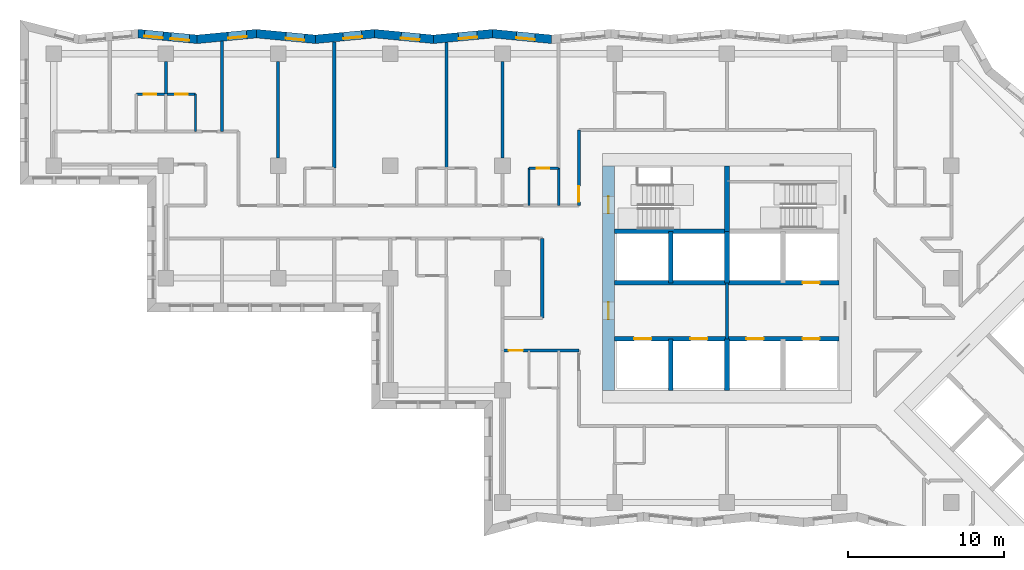
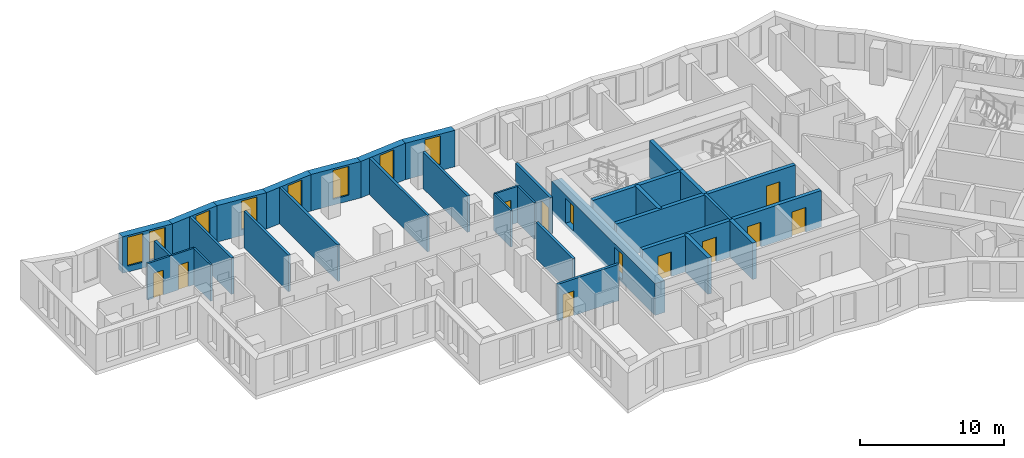
# One storey, part 5 of 12: 31 walls, 12 doors, 8 windows, 20 openings.
"""IFC4 building model written with IfcOpenShell, lengths in metres."""

from ifc_helpers import new_model, si_unit, direction, frame, frame_2d, origin, place, context, subcontext, project, spatial, polyline, rectangle, outline, extrude, material, layer, layer_set, type_object, element, fill, save


model = new_model("IFC4")

# Units and contexts
model_context = context("Model", 3, precision=1e-05, world=origin(), true_north=direction((0.0, 1.0)))
body_context = subcontext(model_context, "Body", "Model", "MODEL_VIEW")
ifc_project = project(units=[si_unit("LENGTHUNIT", "METRE"), si_unit("AREAUNIT", "SQUARE_METRE"), si_unit("VOLUMEUNIT", "CUBIC_METRE"), si_unit("PLANEANGLEUNIT", "RADIAN"), si_unit("MASSUNIT", "GRAM", prefix="KILO")], contexts=[model_context])

# Site, building, storey
site_placement = place(None, origin())
site = spatial("IfcSite", under=ifc_project, at=site_placement, CompositionType="ELEMENT")
building_placement = place(site_placement, origin())
building = spatial("IfcBuilding", under=site, at=building_placement, Name="Windrow Commons", CompositionType="ELEMENT")
storey_placement = place(building_placement, frame((0.0, 0.0, 88.0)))
storey = spatial("IfcBuildingStorey", under=building, at=storey_placement, Name="L23", CompositionType="ELEMENT", Elevation=88.0)

# Wall, opening, window
ifc_material_1 = material(Name="Brick masonry, red clay brick", Category="masonry")
ifc_layer_1 = layer(ifc_material_1, 0.55)
ifc_layer_set_1 = layer_set([ifc_layer_1], Name="Brick facade wall 550")
wall_type_1 = type_object("IfcWallType", Name="Brick facade wall 550", PredefinedType="SOLIDWALL", material=ifc_layer_set_1)
wall_1_placement = place(storey_placement, frame((53.5581, 72.9238, 0.0), z_axis=(0.0, 0.0, 1.0), x_axis=(-0.9954966527, 0.0947967005, 0.0)))
wall_1 = element("IfcWall", 1, at=wall_1_placement, inside=storey, type_object=wall_type_1, Name="Brick facade wall L23 28", PredefinedType="SOLIDWALL", context=body_context, shape_type="SweptSolid", body=[
    extrude(outline(polyline([(0.0262, -0.275), (3.8343, -0.275), (3.782, 0.275), (-0.0262, 0.275), (0.0262, -0.275)])), origin(), (0.0, 0.0, 1.0), 3.1),
])
opening_1_placement = place(wall_1_placement, frame((1.0862, 0.0, 0.5)))
opening_1 = element("IfcOpeningElement", 2, at=opening_1_placement, cuts=wall_1, Name="Opening W7D", PredefinedType="OPENING", context=body_context, shape_type="SweptSolid", body=[
    extrude(rectangle(XDim=1.2, YDim=2.45, at=frame_2d((0.6, 1.225))), frame((0.0, 0.285, 0.0), z_axis=(0.0, -1.0, 0.0), x_axis=(1.0, 0.0, 0.0)), (0.0, 0.0, 1.0), 0.57),
])
ifc_material_2 = material(Name="Clear float glass in anodised aluminium frame", Category="aluminium")
window_type = type_object("IfcWindowType", Name="Window W7 notch 1200x2450", PartitioningType="SINGLE_PANEL", PredefinedType="WINDOW", material=ifc_material_2)
window_1_placement = place(opening_1_placement, origin())
window_1 = element("IfcWindow", 3, at=window_1_placement, inside=storey, type_object=window_type, Name="Window L23 28.1", OverallHeight=2.45, OverallWidth=1.2, PartitioningType="SINGLE_PANEL", PredefinedType="WINDOW", context=body_context, shape_type="SweptSolid", body=[
    extrude(rectangle(XDim=1.2, YDim=2.45, at=frame_2d((0.6, 1.225))), frame((0.0, 0.155, 0.0), z_axis=(0.0, -1.0, 0.0), x_axis=(1.0, 0.0, 0.0)), (0.0, 0.0, 1.0), 0.06),
])
fill(opening_1, window_1)

wall_2_placement = place(storey_placement, frame((49.7671, 73.2848, 0.0), z_axis=(0.0, 0.0, 1.0), x_axis=(-0.9954966527, -0.0947967005, 0.0)))
wall_2 = element("IfcWall", 4, at=wall_2_placement, inside=storey, type_object=wall_type_1, Name="Brick facade wall L23 29", PredefinedType="SOLIDWALL", context=body_context, shape_type="SweptSolid", body=[
    extrude(outline(polyline([(-0.0262, -0.275), (3.782, -0.275), (3.8343, 0.275), (0.0262, 0.275), (-0.0262, -0.275)])), origin(), (0.0, 0.0, 1.0), 3.1),
])
opening_2_placement = place(wall_2_placement, frame((1.0033, 0.0, 0.5)))
opening_2 = element("IfcOpeningElement", 5, at=opening_2_placement, cuts=wall_2, Name="Opening W7D", PredefinedType="OPENING", context=body_context, shape_type="SweptSolid", body=[
    extrude(rectangle(XDim=1.2, YDim=2.45, at=frame_2d((0.6, 1.225))), frame((0.0, 0.285, 0.0), z_axis=(0.0, -1.0, 0.0), x_axis=(1.0, 0.0, 0.0)), (0.0, 0.0, 1.0), 0.57),
])
window_2_placement = place(opening_2_placement, origin())
window_2 = element("IfcWindow", 6, at=window_2_placement, inside=storey, type_object=window_type, Name="Window L23 29.1", OverallHeight=2.45, OverallWidth=1.2, PartitioningType="SINGLE_PANEL", PredefinedType="WINDOW", context=body_context, shape_type="SweptSolid", body=[
    extrude(rectangle(XDim=1.2, YDim=2.45, at=frame_2d((0.6, 1.225))), frame((0.0, 0.155, 0.0), z_axis=(0.0, -1.0, 0.0), x_axis=(1.0, 0.0, 0.0)), (0.0, 0.0, 1.0), 0.06),
])
fill(opening_2, window_2)

wall_3_placement = place(storey_placement, frame((45.9761, 72.9238, 0.0), z_axis=(0.0, 0.0, 1.0), x_axis=(-0.9954966527, 0.0947967005, 0.0)))
wall_3 = element("IfcWall", 7, at=wall_3_placement, inside=storey, type_object=wall_type_1, Name="Brick facade wall L23 30", PredefinedType="SOLIDWALL", context=body_context, shape_type="SweptSolid", body=[
    extrude(outline(polyline([(0.0262, -0.275), (3.8343, -0.275), (3.782, 0.275), (-0.0262, 0.275), (0.0262, -0.275)])), origin(), (0.0, 0.0, 1.0), 3.1),
])
opening_3_placement = place(wall_3_placement, frame((0.8943, 0.0, 0.5)))
opening_3 = element("IfcOpeningElement", 8, at=opening_3_placement, cuts=wall_3, Name="Opening W7D", PredefinedType="OPENING", context=body_context, shape_type="SweptSolid", body=[
    extrude(rectangle(XDim=1.2, YDim=2.45, at=frame_2d((0.6, 1.225))), frame((0.0, 0.285, 0.0), z_axis=(0.0, -1.0, 0.0), x_axis=(1.0, 0.0, 0.0)), (0.0, 0.0, 1.0), 0.57),
])
window_3_placement = place(opening_3_placement, origin())
window_3 = element("IfcWindow", 9, at=window_3_placement, inside=storey, type_object=window_type, Name="Window L23 30.1", OverallHeight=2.45, OverallWidth=1.2, PartitioningType="SINGLE_PANEL", PredefinedType="WINDOW", context=body_context, shape_type="SweptSolid", body=[
    extrude(rectangle(XDim=1.2, YDim=2.45, at=frame_2d((0.6, 1.225))), frame((0.0, 0.155, 0.0), z_axis=(0.0, -1.0, 0.0), x_axis=(1.0, 0.0, 0.0)), (0.0, 0.0, 1.0), 0.06),
])
fill(opening_3, window_3)

wall_4_placement = place(storey_placement, frame((42.1851, 73.2848, 0.0), z_axis=(0.0, 0.0, 1.0), x_axis=(-0.9954966527, -0.0947967005, 0.0)))
wall_4 = element("IfcWall", 10, at=wall_4_placement, inside=storey, type_object=wall_type_1, Name="Brick facade wall L23 31", PredefinedType="SOLIDWALL", context=body_context, shape_type="SweptSolid", body=[
    extrude(outline(polyline([(-0.0262, -0.275), (3.782, -0.275), (3.8343, 0.275), (0.0262, 0.275), (-0.0262, -0.275)])), origin(), (0.0, 0.0, 1.0), 3.1),
])
opening_4_placement = place(wall_4_placement, frame((0.8115, 0.0, 0.5)))
opening_4 = element("IfcOpeningElement", 11, at=opening_4_placement, cuts=wall_4, Name="Opening W7D", PredefinedType="OPENING", context=body_context, shape_type="SweptSolid", body=[
    extrude(rectangle(XDim=1.2, YDim=2.45, at=frame_2d((0.6, 1.225))), frame((0.0, 0.285, 0.0), z_axis=(0.0, -1.0, 0.0), x_axis=(1.0, 0.0, 0.0)), (0.0, 0.0, 1.0), 0.57),
])
window_4_placement = place(opening_4_placement, origin())
window_4 = element("IfcWindow", 12, at=window_4_placement, inside=storey, type_object=window_type, Name="Window L23 31.1", OverallHeight=2.45, OverallWidth=1.2, PartitioningType="SINGLE_PANEL", PredefinedType="WINDOW", context=body_context, shape_type="SweptSolid", body=[
    extrude(rectangle(XDim=1.2, YDim=2.45, at=frame_2d((0.6, 1.225))), frame((0.0, 0.155, 0.0), z_axis=(0.0, -1.0, 0.0), x_axis=(1.0, 0.0, 0.0)), (0.0, 0.0, 1.0), 0.06),
])
fill(opening_4, window_4)

wall_5_placement = place(storey_placement, frame((38.3941, 72.9238, 0.0), z_axis=(0.0, 0.0, 1.0), x_axis=(-0.9954968887, 0.0947942225, 0.0)))
wall_5 = element("IfcWall", 13, at=wall_5_placement, inside=storey, type_object=wall_type_1, Name="Brick facade wall L23 32", PredefinedType="SOLIDWALL", context=body_context, shape_type="SweptSolid", body=[
    extrude(outline(polyline([(0.0262, -0.275), (3.8343, -0.275), (3.782, 0.275), (-0.0262, 0.275), (0.0262, -0.275)])), origin(), (0.0, 0.0, 1.0), 3.1),
])
opening_5_placement = place(wall_5_placement, frame((0.7024, 0.0, 0.5)))
opening_5 = element("IfcOpeningElement", 14, at=opening_5_placement, cuts=wall_5, Name="Opening W7D", PredefinedType="OPENING", context=body_context, shape_type="SweptSolid", body=[
    extrude(rectangle(XDim=1.2, YDim=2.45, at=frame_2d((0.6, 1.225))), frame((0.0, 0.285, 0.0), z_axis=(0.0, -1.0, 0.0), x_axis=(1.0, 0.0, 0.0)), (0.0, 0.0, 1.0), 0.57),
])
window_5_placement = place(opening_5_placement, origin())
window_5 = element("IfcWindow", 15, at=window_5_placement, inside=storey, type_object=window_type, Name="Window L23 32.1", OverallHeight=2.45, OverallWidth=1.2, PartitioningType="SINGLE_PANEL", PredefinedType="WINDOW", context=body_context, shape_type="SweptSolid", body=[
    extrude(rectangle(XDim=1.2, YDim=2.45, at=frame_2d((0.6, 1.225))), frame((0.0, 0.155, 0.0), z_axis=(0.0, -1.0, 0.0), x_axis=(1.0, 0.0, 0.0)), (0.0, 0.0, 1.0), 0.06),
])
fill(opening_5, window_5)

wall_6_placement = place(storey_placement, frame((34.603, 73.2848, 0.0), z_axis=(0.0, 0.0, 1.0), x_axis=(-0.9954966527, -0.0947967005, 0.0)))
wall_6 = element("IfcWall", 16, at=wall_6_placement, inside=storey, type_object=wall_type_1, Name="Brick facade wall L23 33", PredefinedType="SOLIDWALL", context=body_context, shape_type="SweptSolid", body=[
    extrude(outline(polyline([(-0.0262, -0.275), (3.782, -0.275), (3.8343, 0.275), (0.0262, 0.275), (-0.0262, -0.275)])), origin(), (0.0, 0.0, 1.0), 3.1),
])
opening_6_placement = place(wall_6_placement, frame((0.6196, 0.0, 0.5)))
opening_6 = element("IfcOpeningElement", 17, at=opening_6_placement, cuts=wall_6, Name="Opening W7D", PredefinedType="OPENING", context=body_context, shape_type="SweptSolid", body=[
    extrude(rectangle(XDim=1.2, YDim=2.45, at=frame_2d((0.6, 1.225))), frame((0.0, 0.285, 0.0), z_axis=(0.0, -1.0, 0.0), x_axis=(1.0, 0.0, 0.0)), (0.0, 0.0, 1.0), 0.57),
])
window_6_placement = place(opening_6_placement, origin())
window_6 = element("IfcWindow", 18, at=window_6_placement, inside=storey, type_object=window_type, Name="Window L23 33.1", OverallHeight=2.45, OverallWidth=1.2, PartitioningType="SINGLE_PANEL", PredefinedType="WINDOW", context=body_context, shape_type="SweptSolid", body=[
    extrude(rectangle(XDim=1.2, YDim=2.45, at=frame_2d((0.6, 1.225))), frame((0.0, 0.155, 0.0), z_axis=(0.0, -1.0, 0.0), x_axis=(1.0, 0.0, 0.0)), (0.0, 0.0, 1.0), 0.06),
])
fill(opening_6, window_6)

# Wall, openings, windows
wall_7_placement = place(storey_placement, frame((30.812, 72.9238, 0.0), z_axis=(0.0, 0.0, 1.0), x_axis=(-0.9954966527, 0.0947967005, 0.0)))
wall_7 = element("IfcWall", 19, at=wall_7_placement, inside=storey, type_object=wall_type_1, Name="Brick facade wall L23 34", PredefinedType="SOLIDWALL", context=body_context, shape_type="SweptSolid", body=[
    extrude(outline(polyline([(0.0262, -0.275), (3.8343, -0.275), (3.782, 0.275), (-0.0262, 0.275), (0.0262, -0.275)])), origin(), (0.0, 0.0, 1.0), 3.1),
])
opening_7_placement = place(wall_7_placement, frame((0.5106, 0.0, 0.5)))
opening_7 = element("IfcOpeningElement", 20, at=opening_7_placement, cuts=wall_7, Name="Opening W7D", PredefinedType="OPENING", context=body_context, shape_type="SweptSolid", body=[
    extrude(rectangle(XDim=1.2, YDim=2.45, at=frame_2d((0.6, 1.225))), frame((0.0, 0.285, 0.0), z_axis=(0.0, -1.0, 0.0), x_axis=(1.0, 0.0, 0.0)), (0.0, 0.0, 1.0), 0.57),
])
opening_8_placement = place(wall_7_placement, frame((2.2016, 0.0, 0.5)))
opening_8 = element("IfcOpeningElement", 21, at=opening_8_placement, cuts=wall_7, Name="Opening W7D", PredefinedType="OPENING", context=body_context, shape_type="SweptSolid", body=[
    extrude(rectangle(XDim=1.2, YDim=2.45, at=frame_2d((0.6, 1.225))), frame((0.0, 0.285, 0.0), z_axis=(0.0, -1.0, 0.0), x_axis=(1.0, 0.0, 0.0)), (0.0, 0.0, 1.0), 0.57),
])
window_7_placement = place(opening_7_placement, origin())
window_7 = element("IfcWindow", 22, at=window_7_placement, inside=storey, type_object=window_type, Name="Window L23 34.1", OverallHeight=2.45, OverallWidth=1.2, PartitioningType="SINGLE_PANEL", PredefinedType="WINDOW", context=body_context, shape_type="SweptSolid", body=[
    extrude(rectangle(XDim=1.2, YDim=2.45, at=frame_2d((0.6, 1.225))), frame((0.0, 0.155, 0.0), z_axis=(0.0, -1.0, 0.0), x_axis=(1.0, 0.0, 0.0)), (0.0, 0.0, 1.0), 0.06),
])
fill(opening_7, window_7)
window_8_placement = place(opening_8_placement, origin())
window_8 = element("IfcWindow", 23, at=window_8_placement, inside=storey, type_object=window_type, Name="Window L23 34.2", OverallHeight=2.45, OverallWidth=1.2, PartitioningType="SINGLE_PANEL", PredefinedType="WINDOW", context=body_context, shape_type="SweptSolid", body=[
    extrude(rectangle(XDim=1.2, YDim=2.45, at=frame_2d((0.6, 1.225))), frame((0.0, 0.155, 0.0), z_axis=(0.0, -1.0, 0.0), x_axis=(1.0, 0.0, 0.0)), (0.0, 0.0, 1.0), 0.06),
])
fill(opening_8, window_8)

# Walls
ifc_material_3 = material(Name="Blockwork partition", Category="masonry")
ifc_layer_2 = layer(ifc_material_3, 0.2)
ifc_layer_set_2 = layer_set([ifc_layer_2], Name="Fire lobby partition 200")
wall_type_2 = type_object("IfcWallType", Name="Fire lobby partition 200", PredefinedType="PARTITIONING", material=ifc_layer_set_2)
wall_8_placement = place(storey_placement, frame((64.8, 53.7, 0.0), z_axis=(0.0, 0.0, 1.0), x_axis=(0.0, 1.0, 0.0)))
element("IfcWall", 24, at=wall_8_placement, inside=storey, type_object=wall_type_2, Name="W-core-lobby-A-L23", PredefinedType="PARTITIONING", context=body_context, shape_type="SweptSolid", body=[
    extrude(rectangle(XDim=3.6, YDim=0.2, at=frame_2d((1.8, 0.0))), origin(), (0.0, 0.0, 1.0), 3.1),
])
ifc_material_4 = material(Name="Blockwork partition", Category="masonry")
ifc_layer_3 = layer(ifc_material_4, 0.2)
ifc_layer_set_3 = layer_set([ifc_layer_3], Name="IW-CORRIDOR-200")
wall_type_3 = type_object("IfcWallType", Name="IW-CORRIDOR-200", PredefinedType="PARTITIONING", material=ifc_layer_set_3)
wall_9_placement = place(storey_placement, frame((52.95, 55.05, 0.0), z_axis=(0.0, 0.0, 1.0), x_axis=(0.0, 1.0, 0.0)))
element("IfcWall", 25, at=wall_9_placement, inside=storey, type_object=wall_type_3, Name="W-L23-W036", PredefinedType="PARTITIONING", context=body_context, shape_type="SweptSolid", body=[
    extrude(rectangle(XDim=5.1, YDim=0.2, at=frame_2d((2.55, 0.0))), origin(), (0.0, 0.0, 1.0), 3.1),
])

# Wall, opening, door
wall_10_placement = place(storey_placement, frame((50.4, 52.95, 0.0), z_axis=(0.0, 0.0, 1.0), x_axis=(1.0, 0.0, 0.0)))
wall_10 = element("IfcWall", 26, at=wall_10_placement, inside=storey, type_object=wall_type_3, Name="W-L23-W039", PredefinedType="PARTITIONING", context=body_context, shape_type="SweptSolid", body=[
    extrude(rectangle(XDim=4.9, YDim=0.2, at=frame_2d((2.45, 0.0))), origin(), (0.0, 0.0, 1.0), 3.1),
])
opening_9_placement = place(wall_10_placement, frame((0.4, 0.0, 0.0)))
opening_9 = element("IfcOpeningElement", 27, at=opening_9_placement, cuts=wall_10, Name="Opening D109S", PredefinedType="OPENING", context=body_context, shape_type="SweptSolid", body=[
    extrude(rectangle(XDim=0.9, YDim=2.1, at=frame_2d((0.45, 1.05))), frame((0.0, 0.11, 0.0), z_axis=(0.0, -1.0, 0.0), x_axis=(1.0, 0.0, 0.0)), (0.0, 0.0, 1.0), 0.22),
])
ifc_material_5 = material(Name="Timber door leaf", Category="wood")
door_type_1 = type_object("IfcDoorType", Name="DT-BEDROOM-900", OperationType="SINGLE_SWING_LEFT", PredefinedType="DOOR", material=ifc_material_5)
door_1_placement = place(opening_9_placement, origin())
door_1 = element("IfcDoor", 28, at=door_1_placement, inside=storey, type_object=door_type_1, Name="D-L23-D031", OperationType="SINGLE_SWING_LEFT", OverallHeight=2.1, OverallWidth=0.9, PredefinedType="DOOR", context=body_context, shape_type="SweptSolid", body=[
    extrude(rectangle(XDim=0.9, YDim=2.1, at=frame_2d((0.45, 1.05))), frame((0.0, 0.025, 0.0), z_axis=(0.0, -1.0, 0.0), x_axis=(1.0, 0.0, 0.0)), (0.0, 0.0, 1.0), 0.05),
])
fill(opening_9, door_1)

wall_11_placement = place(storey_placement, frame((55.3, 62.252, 0.0), z_axis=(0.0, 0.0, 1.0), x_axis=(0.0, 1.0, 0.0)))
wall_11 = element("IfcWall", 29, at=wall_11_placement, inside=storey, type_object=wall_type_3, Name="W-L23-W041", PredefinedType="PARTITIONING", context=body_context, shape_type="SweptSolid", body=[
    extrude(rectangle(XDim=4.848, YDim=0.2, at=frame_2d((2.424, 0.0))), origin(), (0.0, 0.0, 1.0), 3.1),
])
opening_10_placement = place(wall_11_placement, frame((0.2429, 0.0, 0.0)))
opening_10 = element("IfcOpeningElement", 30, at=opening_10_placement, cuts=wall_11, Name="Opening D310F", PredefinedType="OPENING", context=body_context, shape_type="SweptSolid", body=[
    extrude(rectangle(XDim=1.0, YDim=2.1, at=frame_2d((0.5, 1.05))), frame((0.0, 0.11, 0.0), z_axis=(0.0, -1.0, 0.0), x_axis=(1.0, 0.0, 0.0)), (0.0, 0.0, 1.0), 0.22),
])
ifc_material_6 = material(Name="Timber door leaf", Category="wood")
door_type_2 = type_object("IfcDoorType", Name="DT-AMENITY-1000", OperationType="SINGLE_SWING_LEFT", PredefinedType="DOOR", material=ifc_material_6)
door_2_placement = place(opening_10_placement, origin())
door_2 = element("IfcDoor", 31, at=door_2_placement, inside=storey, type_object=door_type_2, Name="D-L23-D021", OperationType="SINGLE_SWING_LEFT", OverallHeight=2.1, OverallWidth=1.0, PredefinedType="DOOR", context=body_context, shape_type="SweptSolid", body=[
    extrude(rectangle(XDim=1.0, YDim=2.1, at=frame_2d((0.5, 1.05))), frame((0.0, 0.025, 0.0), z_axis=(0.0, -1.0, 0.0), x_axis=(1.0, 0.0, 0.0)), (0.0, 0.0, 1.0), 0.05),
])
fill(opening_10, door_2)

# Wall, openings, doors
ifc_material_7 = material(Name="Blockwork partition", Category="masonry")
ifc_layer_4 = layer(ifc_material_7, 0.15)
ifc_layer_set_4 = layer_set([ifc_layer_4], Name="IW-ENSUITE-150")
wall_type_4 = type_object("IfcWallType", Name="IW-ENSUITE-150", PredefinedType="PARTITIONING", material=ifc_layer_set_4)
wall_12_placement = place(storey_placement, frame((26.9, 69.4, 0.0), z_axis=(0.0, 0.0, 1.0), x_axis=(1.0, 0.0, 0.0)))
wall_12 = element("IfcWall", 32, at=wall_12_placement, inside=storey, type_object=wall_type_4, Name="W-L23-W056", PredefinedType="PARTITIONING", context=body_context, shape_type="SweptSolid", body=[
    extrude(rectangle(XDim=3.8, YDim=0.15, at=frame_2d((1.9, 0.0))), origin(), (0.0, 0.0, 1.0), 3.1),
])
opening_11_placement = place(wall_12_placement, frame((0.4931, 0.0, 0.0)))
opening_11 = element("IfcOpeningElement", 33, at=opening_11_placement, cuts=wall_12, Name="Opening D208N", PredefinedType="OPENING", context=body_context, shape_type="SweptSolid", body=[
    extrude(rectangle(XDim=0.8, YDim=2.1, at=frame_2d((0.4, 1.05))), frame((0.0, 0.085, 0.0), z_axis=(0.0, -1.0, 0.0), x_axis=(1.0, 0.0, 0.0)), (0.0, 0.0, 1.0), 0.17),
])
opening_12_placement = place(wall_12_placement, frame((2.5069, 0.0, 0.0)))
opening_12 = element("IfcOpeningElement", 34, at=opening_12_placement, cuts=wall_12, Name="Opening D208N", PredefinedType="OPENING", context=body_context, shape_type="SweptSolid", body=[
    extrude(rectangle(XDim=0.8, YDim=2.1, at=frame_2d((0.4, 1.05))), frame((0.0, 0.085, 0.0), z_axis=(0.0, -1.0, 0.0), x_axis=(1.0, 0.0, 0.0)), (0.0, 0.0, 1.0), 0.17),
])
ifc_material_8 = material(Name="Timber door leaf", Category="wood")
door_type_3 = type_object("IfcDoorType", Name="DT-ENSUITE-800", OperationType="SINGLE_SWING_LEFT", PredefinedType="DOOR", material=ifc_material_8)
door_3_placement = place(opening_11_placement, origin())
door_3 = element("IfcDoor", 35, at=door_3_placement, inside=storey, type_object=door_type_3, Name="D-L23-D003", OperationType="SINGLE_SWING_RIGHT", OverallHeight=2.1, OverallWidth=0.8, PredefinedType="DOOR", context=body_context, shape_type="SweptSolid", body=[
    extrude(rectangle(XDim=0.8, YDim=2.1, at=frame_2d((0.4, 1.05))), frame((0.0, 0.025, 0.0), z_axis=(0.0, -1.0, 0.0), x_axis=(1.0, 0.0, 0.0)), (0.0, 0.0, 1.0), 0.05),
])
fill(opening_11, door_3)
door_4_placement = place(opening_12_placement, origin())
door_4 = element("IfcDoor", 36, at=door_4_placement, inside=storey, type_object=door_type_3, Name="D-L23-D005", OperationType="SINGLE_SWING_RIGHT", OverallHeight=2.1, OverallWidth=0.8, PredefinedType="DOOR", context=body_context, shape_type="SweptSolid", body=[
    extrude(rectangle(XDim=0.8, YDim=2.1, at=frame_2d((0.4, 1.05))), frame((0.0, 0.025, 0.0), z_axis=(0.0, -1.0, 0.0), x_axis=(1.0, 0.0, 0.0)), (0.0, 0.0, 1.0), 0.05),
])
fill(opening_12, door_4)

# Walls
for number, where, z_axis, x_axis, name in (
    (37, (30.7, 67.0, 0.0), (0.0, 0.0, 1.0), (0.0, 1.0, 0.0), "W-L23-W073"),
    (38, (52.1, 62.25, 0.0), (0.0, 0.0, 1.0), (0.0, 1.0, 0.0), "W-L23-W080"),
    (39, (54.0, 62.25, 0.0), (0.0, 0.0, 1.0), (0.0, 1.0, 0.0), "W-L23-W082"),
):
    element("IfcWall", number, at=place(storey_placement, frame(where, z_axis=z_axis, x_axis=x_axis)), inside=storey, type_object=wall_type_4, Name=name, PredefinedType="PARTITIONING", context=body_context, shape_type="SweptSolid", body=[
        extrude(rectangle(XDim=2.4, YDim=0.15, at=frame_2d((1.2, 0.0))), origin(), (0.0, 0.0, 1.0), 3.1),
    ])

# Wall, opening, door
wall_13_placement = place(storey_placement, frame((52.1, 64.65, 0.0), z_axis=(0.0, 0.0, 1.0), x_axis=(1.0, 0.0, 0.0)))
wall_13 = element("IfcWall", 40, at=wall_13_placement, inside=storey, type_object=wall_type_4, Name="W-L23-W127", PredefinedType="PARTITIONING", context=body_context, shape_type="SweptSolid", body=[
    extrude(rectangle(XDim=1.9, YDim=0.15, at=frame_2d((0.95, 0.0))), origin(), (0.0, 0.0, 1.0), 3.1),
])
opening_13_placement = place(wall_13_placement, frame((0.4931, 0.0, 0.0)))
opening_13 = element("IfcOpeningElement", 41, at=opening_13_placement, cuts=wall_13, Name="Opening D208N", PredefinedType="OPENING", context=body_context, shape_type="SweptSolid", body=[
    extrude(rectangle(XDim=0.8, YDim=2.1, at=frame_2d((0.4, 1.05))), frame((0.0, 0.085, 0.0), z_axis=(0.0, -1.0, 0.0), x_axis=(1.0, 0.0, 0.0)), (0.0, 0.0, 1.0), 0.17),
])
door_5_placement = place(opening_13_placement, origin())
door_5 = element("IfcDoor", 42, at=door_5_placement, inside=storey, type_object=door_type_3, Name="D-L23-D020", OperationType="SINGLE_SWING_RIGHT", OverallHeight=2.1, OverallWidth=0.8, PredefinedType="DOOR", context=body_context, shape_type="SweptSolid", body=[
    extrude(rectangle(XDim=0.8, YDim=2.1, at=frame_2d((0.4, 1.05))), frame((0.0, 0.025, 0.0), z_axis=(0.0, -1.0, 0.0), x_axis=(1.0, 0.0, 0.0)), (0.0, 0.0, 1.0), 0.05),
])
fill(opening_13, door_5)

# Walls
ifc_material_9 = material(Name="Blockwork partition", Category="masonry")
ifc_layer_5 = layer(ifc_material_9, 0.2)
ifc_layer_set_5 = layer_set([ifc_layer_5], Name="IW-PARTY-200")
wall_type_5 = type_object("IfcWallType", Name="IW-PARTY-200", PredefinedType="PARTITIONING", material=ifc_layer_set_5)
wall_14_placement = place(storey_placement, frame((39.6, 64.65, 0.0), z_axis=(0.0, 0.0, 1.0), x_axis=(0.0, 1.0, 0.0)))
element("IfcWall", 43, at=wall_14_placement, inside=storey, type_object=wall_type_5, Name="W-L23-W014", PredefinedType="PARTITIONING", context=body_context, shape_type="SweptSolid", body=[
    extrude(rectangle(XDim=8.1123, YDim=0.2, at=frame_2d((4.0561, 0.0))), origin(), (0.0, 0.0, 1.0), 3.1),
])
wall_15_placement = place(storey_placement, frame((46.8, 64.65, 0.0), z_axis=(0.0, 0.0, 1.0), x_axis=(0.0, 1.0, 0.0)))
element("IfcWall", 44, at=wall_15_placement, inside=storey, type_object=wall_type_5, Name="W-L23-W015", PredefinedType="PARTITIONING", context=body_context, shape_type="SweptSolid", body=[
    extrude(rectangle(XDim=8.076, YDim=0.2, at=frame_2d((4.038, 0.0))), origin(), (0.0, 0.0, 1.0), 3.1),
])
for number, where, z_axis, x_axis, name in (
    (45, (36.0, 65.3, 0.0), (0.0, 0.0, 1.0), (0.0, 1.0, 0.0), "W-L23-W023"),
    (46, (50.4, 65.3, 0.0), (0.0, 0.0, 1.0), (0.0, 1.0, 0.0), "W-L23-W025"),
):
    element("IfcWall", number, at=place(storey_placement, frame(where, z_axis=z_axis, x_axis=x_axis)), inside=storey, type_object=wall_type_5, Name=name, PredefinedType="PARTITIONING", context=body_context, shape_type="SweptSolid", body=[
        extrude(rectangle(XDim=6.2, YDim=0.2, at=frame_2d((3.1, 0.0))), origin(), (0.0, 0.0, 1.0), 3.1),
    ])
wall_16_placement = place(storey_placement, frame((32.4, 67.0, 0.0), z_axis=(0.0, 0.0, 1.0), x_axis=(0.0, 1.0, 0.0)))
element("IfcWall", 47, at=wall_16_placement, inside=storey, type_object=wall_type_5, Name="W-L23-W034", PredefinedType="PARTITIONING", context=body_context, shape_type="SweptSolid", body=[
    extrude(rectangle(XDim=5.7987, YDim=0.2, at=frame_2d((2.8994, 0.0))), origin(), (0.0, 0.0, 1.0), 3.1),
])
wall_17_placement = place(storey_placement, frame((28.8, 69.4, 0.0), z_axis=(0.0, 0.0, 1.0), x_axis=(0.0, 1.0, 0.0)))
element("IfcWall", 48, at=wall_17_placement, inside=storey, type_object=wall_type_5, Name="W-L23-W104", PredefinedType="PARTITIONING", context=body_context, shape_type="SweptSolid", body=[
    extrude(rectangle(XDim=2.1, YDim=0.2, at=frame_2d((1.05, 0.0))), origin(), (0.0, 0.0, 1.0), 3.1),
])

# Wall, openings, doors
ifc_material_10 = material(Name="Concrete C50/60", Category="concrete")
ifc_layer_6 = layer(ifc_material_10, 0.8)
ifc_layer_set_6 = layer_set([ifc_layer_6], Name="RC CORE WALL 800 C50/60")
wall_type_6 = type_object("IfcWallType", Name="RC CORE WALL 800 C50/60", PredefinedType="SHEAR", material=ifc_layer_set_6)
wall_18_placement = place(storey_placement, frame((57.2, 50.4, -0.3), z_axis=(0.0, 0.0, 1.0), x_axis=(0.0, 1.0, 0.0)))
wall_18 = element("IfcWall", 49, at=wall_18_placement, inside=storey, type_object=wall_type_6, Name="Core A wall outer-W", PredefinedType="SHEAR", context=body_context, shape_type="SweptSolid", body=[
    extrude(rectangle(XDim=14.4, YDim=0.8, at=frame_2d((7.2, 0.0))), origin(), (0.0, 0.0, 1.0), 2.7),
])
opening_14_placement = place(wall_18_placement, frame((4.55, 0.0, 0.3)))
opening_14 = element("IfcOpeningElement", 50, at=opening_14_placement, cuts=wall_18, Name="Opening D6", PredefinedType="OPENING", context=body_context, shape_type="SweptSolid", body=[
    extrude(rectangle(XDim=1.1, YDim=2.1, at=frame_2d((0.55, 1.05))), frame((0.0, 0.41, 0.0), z_axis=(0.0, -1.0, 0.0), x_axis=(1.0, 0.0, 0.0)), (0.0, 0.0, 1.0), 0.82),
])
opening_15_placement = place(wall_18_placement, frame((11.35, 0.0, 0.3)))
opening_15 = element("IfcOpeningElement", 51, at=opening_15_placement, cuts=wall_18, Name="Opening D7", PredefinedType="OPENING", context=body_context, shape_type="SweptSolid", body=[
    extrude(rectangle(XDim=1.1, YDim=2.1, at=frame_2d((0.55, 1.05))), frame((0.0, 0.41, 0.0), z_axis=(0.0, -1.0, 0.0), x_axis=(1.0, 0.0, 0.0)), (0.0, 0.0, 1.0), 0.82),
])
ifc_material_11 = material(Name="Steel fire door leaf", Category="steel")
door_type_4 = type_object("IfcDoorType", Name="Core lobby door 1100", OperationType="SINGLE_SWING_LEFT", PredefinedType="DOOR", material=ifc_material_11)
door_6_placement = place(opening_14_placement, origin())
door_6 = element("IfcDoor", 52, at=door_6_placement, inside=storey, type_object=door_type_4, Name="Lift lobby door", OperationType="DOUBLE_DOOR_SINGLE_SWING", OverallHeight=2.1, OverallWidth=1.1, PredefinedType="DOOR", context=body_context, shape_type="SweptSolid", body=[
    extrude(rectangle(XDim=1.1, YDim=2.1, at=frame_2d((0.55, 1.05))), frame((0.0, 0.025, 0.0), z_axis=(0.0, -1.0, 0.0), x_axis=(1.0, 0.0, 0.0)), (0.0, 0.0, 1.0), 0.05),
])
fill(opening_14, door_6)
ifc_material_12 = material(Name="Steel fire door leaf", Category="steel")
door_type_5 = type_object("IfcDoorType", Name="Stair door 1100", OperationType="SINGLE_SWING_LEFT", PredefinedType="DOOR", material=ifc_material_12)
door_7_placement = place(opening_15_placement, origin())
door_7 = element("IfcDoor", 53, at=door_7_placement, inside=storey, type_object=door_type_5, Name="Stair door", OperationType="SINGLE_SWING_LEFT", OverallHeight=2.1, OverallWidth=1.1, PredefinedType="DOOR", context=body_context, shape_type="SweptSolid", body=[
    extrude(rectangle(XDim=1.1, YDim=2.1, at=frame_2d((0.55, 1.05))), frame((0.0, 0.025, 0.0), z_axis=(0.0, -1.0, 0.0), x_axis=(1.0, 0.0, 0.0)), (0.0, 0.0, 1.0), 0.05),
])
fill(opening_15, door_7)

# Walls
ifc_material_13 = material(Name="Concrete C50/60", Category="concrete")
ifc_layer_7 = layer(ifc_material_13, 0.3)
ifc_layer_set_7 = layer_set([ifc_layer_7], Name="RC SHAFT WALL 300 C50/60")
wall_type_7 = type_object("IfcWallType", Name="RC SHAFT WALL 300 C50/60", PredefinedType="SOLIDWALL", material=ifc_layer_set_7)
for number, where, z_axis, x_axis, name in (
    (54, (61.2, 50.4, 0.0), (0.0, 0.0, 1.0), (0.0, 1.0, 0.0), "Core A wall shaft-S1"),
    (55, (61.2, 57.3, 0.0), (0.0, 0.0, 1.0), (0.0, 1.0, 0.0), "Core A wall shaft-N1"),
    (56, (64.8, 50.4, 0.0), (0.0, 0.0, 1.0), (0.0, 1.0, 0.0), "Core A wall shaft-S2"),
    (57, (64.8, 57.3, 0.0), (0.0, 0.0, 1.0), (0.0, 1.0, 0.0), "Core A wall shaft-N2"),
):
    element("IfcWall", number, at=place(storey_placement, frame(where, z_axis=z_axis, x_axis=x_axis)), inside=storey, type_object=wall_type_7, Name=name, PredefinedType="SOLIDWALL", context=body_context, shape_type="SweptSolid", body=[
        extrude(rectangle(XDim=3.3, YDim=0.3, at=frame_2d((1.65, 0.0))), origin(), (0.0, 0.0, 1.0), 3.1),
    ])

# Wall, openings, doors
wall_19_placement = place(storey_placement, frame((57.6, 53.7, 0.0), z_axis=(0.0, 0.0, 1.0), x_axis=(1.0, 0.0, 0.0)))
wall_19 = element("IfcWall", 58, at=wall_19_placement, inside=storey, type_object=wall_type_7, Name="Core A wall lobby-S", PredefinedType="SOLIDWALL", context=body_context, shape_type="SweptSolid", body=[
    extrude(rectangle(XDim=14.4, YDim=0.3, at=frame_2d((7.2, 0.0))), origin(), (0.0, 0.0, 1.0), 3.1),
])
opening_16_placement = place(wall_19_placement, frame((1.25, 0.0, 0.0)))
opening_16 = element("IfcOpeningElement", 59, at=opening_16_placement, cuts=wall_19, Name="Opening LD", PredefinedType="OPENING", context=body_context, shape_type="SweptSolid", body=[
    extrude(rectangle(XDim=1.1, YDim=2.1, at=frame_2d((0.55, 1.05))), frame((0.0, 0.16, 0.0), z_axis=(0.0, -1.0, 0.0), x_axis=(1.0, 0.0, 0.0)), (0.0, 0.0, 1.0), 0.32),
])
opening_17_placement = place(wall_19_placement, frame((4.85, 0.0, 0.0)))
opening_17 = element("IfcOpeningElement", 60, at=opening_17_placement, cuts=wall_19, Name="Opening LD", PredefinedType="OPENING", context=body_context, shape_type="SweptSolid", body=[
    extrude(rectangle(XDim=1.1, YDim=2.1, at=frame_2d((0.55, 1.05))), frame((0.0, 0.16, 0.0), z_axis=(0.0, -1.0, 0.0), x_axis=(1.0, 0.0, 0.0)), (0.0, 0.0, 1.0), 0.32),
])
opening_18_placement = place(wall_19_placement, frame((8.45, 0.0, 0.0)))
opening_18 = element("IfcOpeningElement", 61, at=opening_18_placement, cuts=wall_19, Name="Opening LD", PredefinedType="OPENING", context=body_context, shape_type="SweptSolid", body=[
    extrude(rectangle(XDim=1.1, YDim=2.1, at=frame_2d((0.55, 1.05))), frame((0.0, 0.16, 0.0), z_axis=(0.0, -1.0, 0.0), x_axis=(1.0, 0.0, 0.0)), (0.0, 0.0, 1.0), 0.32),
])
opening_19_placement = place(wall_19_placement, frame((12.05, 0.0, 0.0)))
opening_19 = element("IfcOpeningElement", 62, at=opening_19_placement, cuts=wall_19, Name="Opening LD", PredefinedType="OPENING", context=body_context, shape_type="SweptSolid", body=[
    extrude(rectangle(XDim=1.1, YDim=2.1, at=frame_2d((0.55, 1.05))), frame((0.0, 0.16, 0.0), z_axis=(0.0, -1.0, 0.0), x_axis=(1.0, 0.0, 0.0)), (0.0, 0.0, 1.0), 0.32),
])
ifc_material_14 = material(Name="Stainless steel door leaf", Category="steel")
door_type_6 = type_object("IfcDoorType", Name="Lift landing door 1100", OperationType="SLIDING_TO_LEFT", PredefinedType="DOOR", material=ifc_material_14)
door_8_placement = place(opening_16_placement, origin())
door_8 = element("IfcDoor", 63, at=door_8_placement, inside=storey, type_object=door_type_6, Name="Lift landing door", OperationType="SLIDING_TO_LEFT", OverallHeight=2.1, OverallWidth=1.1, PredefinedType="DOOR", context=body_context, shape_type="SweptSolid", body=[
    extrude(rectangle(XDim=1.1, YDim=2.1, at=frame_2d((0.55, 1.05))), frame((0.0, 0.025, 0.0), z_axis=(0.0, -1.0, 0.0), x_axis=(1.0, 0.0, 0.0)), (0.0, 0.0, 1.0), 0.05),
])
fill(opening_16, door_8)
door_9_placement = place(opening_17_placement, origin())
door_9 = element("IfcDoor", 64, at=door_9_placement, inside=storey, type_object=door_type_6, Name="Lift landing door", OperationType="SLIDING_TO_RIGHT", OverallHeight=2.1, OverallWidth=1.1, PredefinedType="DOOR", context=body_context, shape_type="SweptSolid", body=[
    extrude(rectangle(XDim=1.1, YDim=2.1, at=frame_2d((0.55, 1.05))), frame((0.0, 0.025, 0.0), z_axis=(0.0, -1.0, 0.0), x_axis=(1.0, 0.0, 0.0)), (0.0, 0.0, 1.0), 0.05),
])
fill(opening_17, door_9)
door_10_placement = place(opening_18_placement, origin())
door_10 = element("IfcDoor", 65, at=door_10_placement, inside=storey, type_object=door_type_6, Name="Lift landing door", OperationType="SLIDING_TO_LEFT", OverallHeight=2.1, OverallWidth=1.1, PredefinedType="DOOR", context=body_context, shape_type="SweptSolid", body=[
    extrude(rectangle(XDim=1.1, YDim=2.1, at=frame_2d((0.55, 1.05))), frame((0.0, 0.025, 0.0), z_axis=(0.0, -1.0, 0.0), x_axis=(1.0, 0.0, 0.0)), (0.0, 0.0, 1.0), 0.05),
])
fill(opening_18, door_10)
door_11_placement = place(opening_19_placement, origin())
door_11 = element("IfcDoor", 66, at=door_11_placement, inside=storey, type_object=door_type_6, Name="Lift landing door", OperationType="SLIDING_TO_RIGHT", OverallHeight=2.1, OverallWidth=1.1, PredefinedType="DOOR", context=body_context, shape_type="SweptSolid", body=[
    extrude(rectangle(XDim=1.1, YDim=2.1, at=frame_2d((0.55, 1.05))), frame((0.0, 0.025, 0.0), z_axis=(0.0, -1.0, 0.0), x_axis=(1.0, 0.0, 0.0)), (0.0, 0.0, 1.0), 0.05),
])
fill(opening_19, door_11)

# Wall, opening, door
wall_20_placement = place(storey_placement, frame((57.6, 57.3, 0.0), z_axis=(0.0, 0.0, 1.0), x_axis=(1.0, 0.0, 0.0)))
wall_20 = element("IfcWall", 67, at=wall_20_placement, inside=storey, type_object=wall_type_7, Name="Core A wall lobby-N", PredefinedType="SOLIDWALL", context=body_context, shape_type="SweptSolid", body=[
    extrude(rectangle(XDim=14.4, YDim=0.3, at=frame_2d((7.2, 0.0))), origin(), (0.0, 0.0, 1.0), 3.1),
])
opening_20_placement = place(wall_20_placement, frame((12.05, 0.0, 0.0)))
opening_20 = element("IfcOpeningElement", 68, at=opening_20_placement, cuts=wall_20, Name="Opening LD", PredefinedType="OPENING", context=body_context, shape_type="SweptSolid", body=[
    extrude(rectangle(XDim=1.1, YDim=2.1, at=frame_2d((0.55, 1.05))), frame((0.0, 0.16, 0.0), z_axis=(0.0, -1.0, 0.0), x_axis=(1.0, 0.0, 0.0)), (0.0, 0.0, 1.0), 0.32),
])
door_12_placement = place(opening_20_placement, origin())
door_12 = element("IfcDoor", 69, at=door_12_placement, inside=storey, type_object=door_type_6, Name="Lift landing door", OperationType="SLIDING_TO_RIGHT", OverallHeight=2.1, OverallWidth=1.1, PredefinedType="DOOR", context=body_context, shape_type="SweptSolid", body=[
    extrude(rectangle(XDim=1.1, YDim=2.1, at=frame_2d((0.55, 1.05))), frame((0.0, 0.025, 0.0), z_axis=(0.0, -1.0, 0.0), x_axis=(1.0, 0.0, 0.0)), (0.0, 0.0, 1.0), 0.05),
])
fill(opening_20, door_12)

# Walls
wall_21_placement = place(storey_placement, frame((57.6, 60.6, 0.0), z_axis=(0.0, 0.0, 1.0), x_axis=(1.0, 0.0, 0.0)))
element("IfcWall", 70, at=wall_21_placement, inside=storey, type_object=wall_type_7, Name="Core A wall stair-S", PredefinedType="SOLIDWALL", context=body_context, shape_type="SweptSolid", body=[
    extrude(rectangle(XDim=7.2, YDim=0.3, at=frame_2d((3.6, 0.0))), origin(), (0.0, 0.0, 1.0), 3.1),
])
wall_22_placement = place(storey_placement, frame((64.8, 60.6, 0.0), z_axis=(0.0, 0.0, 1.0), x_axis=(0.0, 1.0, 0.0)))
element("IfcWall", 71, at=wall_22_placement, inside=storey, type_object=wall_type_7, Name="Core A wall stair-mid", PredefinedType="SOLIDWALL", context=body_context, shape_type="SweptSolid", body=[
    extrude(rectangle(XDim=4.2, YDim=0.3, at=frame_2d((2.1, 0.0))), origin(), (0.0, 0.0, 1.0), 3.1),
])

save(model, "model.ifc")
